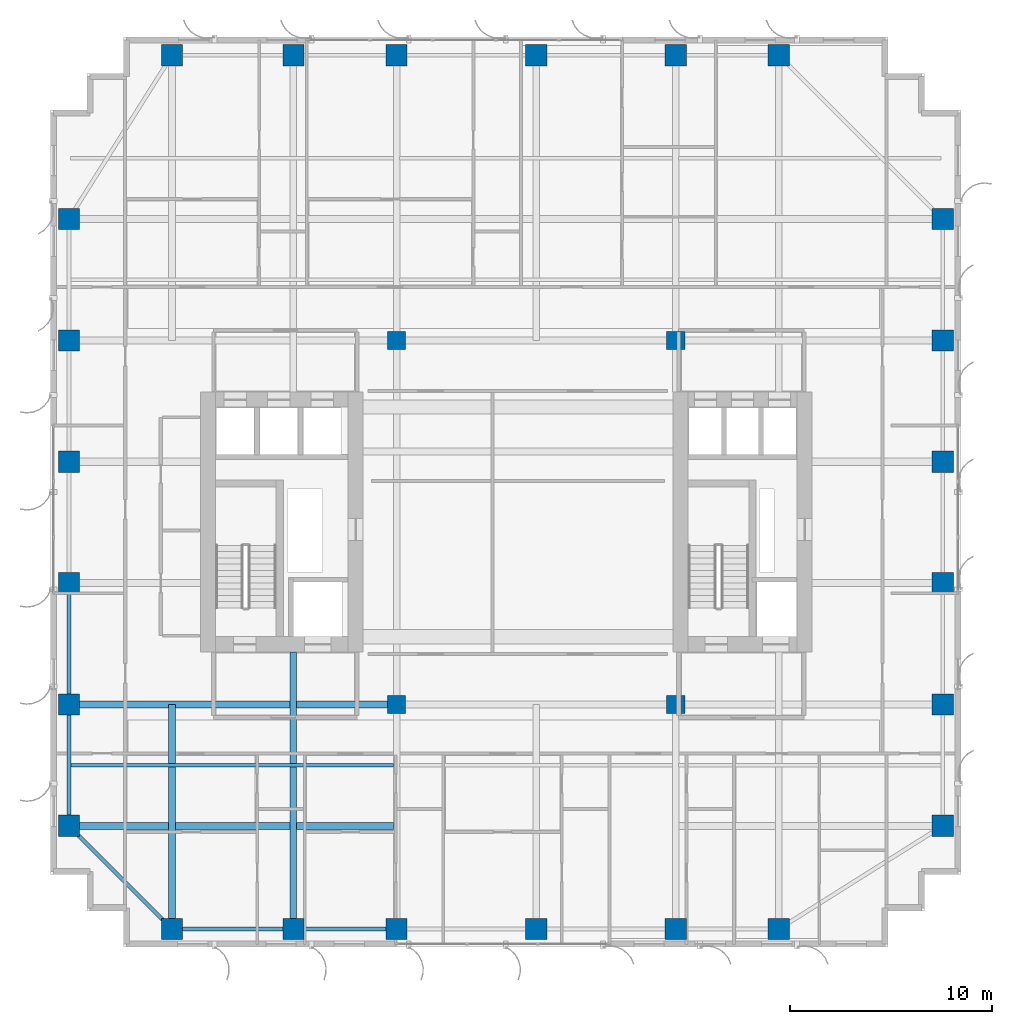
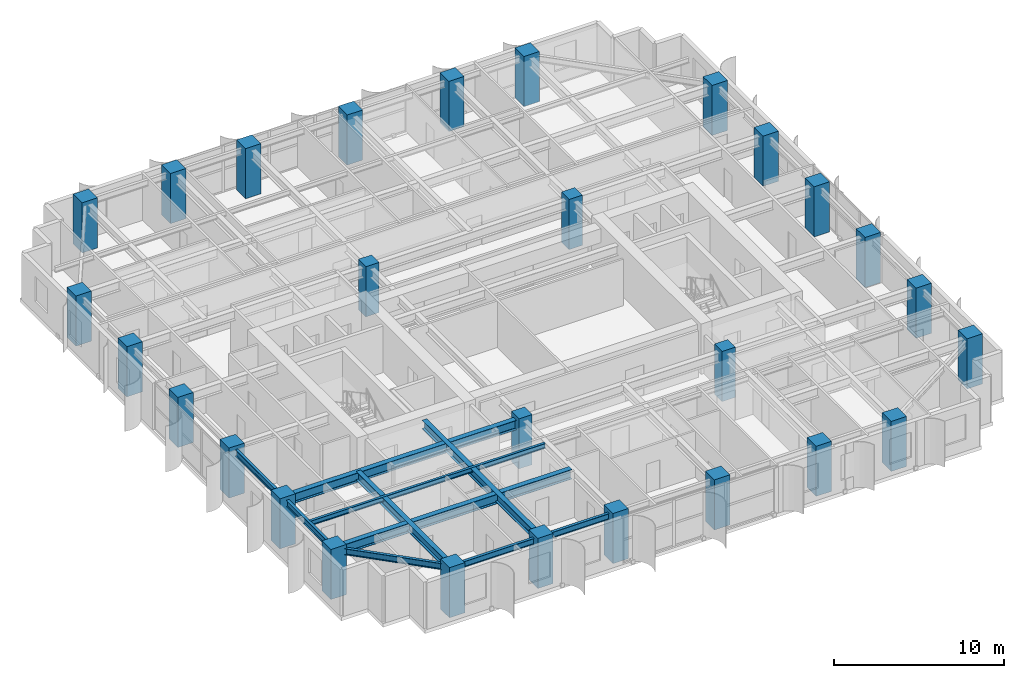
# One storey, part 1 of 22: 28 columns, 10 beams.
"""IFC4 building model written with IfcOpenShell, lengths in metres."""

from ifc_helpers import new_model, si_unit, direction, frame, origin, origin_2d, place, context, subcontext, project, spatial, rectangle, i_section, extrude, source, transform, mapped, material, material_profile, profile_set, type_object, element, save


model = new_model("IFC4")

# Units and contexts
model_context = context("Model", 3, precision=1e-05, world=origin(), true_north=direction((0.0, 1.0)))
body_context = subcontext(model_context, "Body", "Model", "MODEL_VIEW")
ifc_project = project(units=[si_unit("LENGTHUNIT", "METRE"), si_unit("AREAUNIT", "SQUARE_METRE"), si_unit("VOLUMEUNIT", "CUBIC_METRE"), si_unit("PLANEANGLEUNIT", "RADIAN"), si_unit("MASSUNIT", "GRAM", prefix="KILO")], contexts=[model_context])

# Site, building, storey
site_placement = place(None, origin())
site = spatial("IfcSite", under=ifc_project, at=site_placement, CompositionType="ELEMENT")
building_placement = place(site_placement, origin())
building = spatial("IfcBuilding", under=site, at=building_placement, Name="Khoralis Quay Care Tower", CompositionType="ELEMENT")
storey_placement = place(building_placement, frame((0.0, 0.0, 94.5)))
storey = spatial("IfcBuildingStorey", under=building, at=storey_placement, Name="L24", CompositionType="ELEMENT", Elevation=94.5)

# Columns
ifc_material_1 = material(Name="Concrete C65/80", Category="concrete")
ifc_material_profile_1 = material_profile(ifc_material_1, rectangle(XDim=1.050048828125, YDim=1.050048828125, at=origin_2d()), Name="Concrete C65/80")
ifc_profile_set_1 = profile_set([ifc_material_profile_1], Name="Concrete C65/80")
column_type_1 = type_object("IfcColumnType", Name="COL-C1050", PredefinedType="COLUMN", material=ifc_profile_set_1)
shared_shape_1 = source(origin(), body_context, "Body", "SweptSolid", [
    extrude(rectangle(XDim=1.050048828125, YDim=1.050048828125, at=origin_2d()), origin(), (0.0, 0.0, 1.0), 3.60009765625),
])
for number, where, z_axis, x_axis, name in (
    (1, (6.0, 0.89990234375, 0.0), (0.0, 0.0, 1.0), (1.0, 0.0, 0.0), "COL-TWR-L24-01"),
    (2, (6.0, 44.10009765625, 0.0), (0.0, 0.0, 1.0), (1.0, 0.0, 0.0), "COL-TWR-L24-02"),
    (3, (12.0, 0.89990234375, 0.0), (0.0, 0.0, 1.0), (1.0, 0.0, 0.0), "COL-TWR-L24-03"),
    (4, (12.0, 44.10009765625, 0.0), (0.0, 0.0, 1.0), (1.0, 0.0, 0.0), "COL-TWR-L24-04"),
    (5, (17.10009765625, 0.89990234375, 0.0), (0.0, 0.0, 1.0), (1.0, 0.0, 0.0), "COL-TWR-L24-05"),
    (6, (17.10009765625, 44.10009765625, 0.0), (0.0, 0.0, 1.0), (1.0, 0.0, 0.0), "COL-TWR-L24-06"),
    (7, (24.0, 0.89990234375, 0.0), (0.0, 0.0, 1.0), (1.0, 0.0, 0.0), "COL-TWR-L24-07"),
    (8, (24.0, 44.10009765625, 0.0), (0.0, 0.0, 1.0), (1.0, 0.0, 0.0), "COL-TWR-L24-08"),
    (9, (30.89990234375, 0.89990234375, 0.0), (0.0, 0.0, 1.0), (1.0, 0.0, 0.0), "COL-TWR-L24-09"),
    (10, (30.89990234375, 44.10009765625, 0.0), (0.0, 0.0, 1.0), (1.0, 0.0, 0.0), "COL-TWR-L24-10"),
    (11, (36.0, 0.89990234375, 0.0), (0.0, 0.0, 1.0), (1.0, 0.0, 0.0), "COL-TWR-L24-11"),
    (12, (36.0, 44.10009765625, 0.0), (0.0, 0.0, 1.0), (1.0, 0.0, 0.0), "COL-TWR-L24-12"),
    (13, (0.89990234375, 6.0, 0.0), (0.0, 0.0, 1.0), (1.0, 0.0, 0.0), "COL-TWR-L24-13"),
    (14, (44.10009765625, 6.0, 0.0), (0.0, 0.0, 1.0), (1.0, 0.0, 0.0), "COL-TWR-L24-14"),
    (15, (0.89990234375, 12.0, 0.0), (0.0, 0.0, 1.0), (1.0, 0.0, 0.0), "COL-TWR-L24-15"),
    (16, (44.10009765625, 12.0, 0.0), (0.0, 0.0, 1.0), (1.0, 0.0, 0.0), "COL-TWR-L24-16"),
    (17, (0.89990234375, 18.0, 0.0), (0.0, 0.0, 1.0), (1.0, 0.0, 0.0), "COL-TWR-L24-17"),
    (18, (44.10009765625, 18.0, 0.0), (0.0, 0.0, 1.0), (1.0, 0.0, 0.0), "COL-TWR-L24-18"),
    (19, (0.89990234375, 24.0, 0.0), (0.0, 0.0, 1.0), (1.0, 0.0, 0.0), "COL-TWR-L24-19"),
    (20, (44.10009765625, 24.0, 0.0), (0.0, 0.0, 1.0), (1.0, 0.0, 0.0), "COL-TWR-L24-20"),
    (21, (0.89990234375, 30.0, 0.0), (0.0, 0.0, 1.0), (1.0, 0.0, 0.0), "COL-TWR-L24-21"),
    (22, (44.10009765625, 30.0, 0.0), (0.0, 0.0, 1.0), (1.0, 0.0, 0.0), "COL-TWR-L24-22"),
    (23, (0.89990234375, 36.0, 0.0), (0.0, 0.0, 1.0), (1.0, 0.0, 0.0), "COL-TWR-L24-23"),
    (24, (44.10009765625, 36.0, 0.0), (0.0, 0.0, 1.0), (1.0, 0.0, 0.0), "COL-TWR-L24-24"),
):
    element("IfcColumn", number, at=place(storey_placement, frame(where, z_axis=z_axis, x_axis=x_axis)), inside=storey, type_object=column_type_1, Name=name, PredefinedType="COLUMN", context=body_context, shape_type="MappedRepresentation", body=[
        mapped(shared_shape_1, transform((0.0, 0.0, 0.0), scale=1.0)),
    ])
ifc_material_profile_2 = material_profile(ifc_material_1, rectangle(XDim=0.89990234375, YDim=0.89990234375, at=origin_2d()), Name="Concrete C65/80")
ifc_profile_set_2 = profile_set([ifc_material_profile_2], Name="Concrete C65/80")
column_type_2 = type_object("IfcColumnType", Name="COL-C900", PredefinedType="COLUMN", material=ifc_profile_set_2)
shared_shape_2 = source(origin(), body_context, "Body", "SweptSolid", [
    extrude(rectangle(XDim=0.89990234375, YDim=0.89990234375, at=origin_2d()), origin(), (0.0, 0.0, 1.0), 3.60009765625),
])
for number, where, z_axis, x_axis, name in (
    (25, (17.10009765625, 12.0, 0.0), (0.0, 0.0, 1.0), (1.0, 0.0, 0.0), "COL-TWR-L24-25"),
    (26, (17.10009765625, 30.0, 0.0), (0.0, 0.0, 1.0), (1.0, 0.0, 0.0), "COL-TWR-L24-26"),
    (27, (30.89990234375, 12.0, 0.0), (0.0, 0.0, 1.0), (1.0, 0.0, 0.0), "COL-TWR-L24-27"),
    (28, (30.89990234375, 30.0, 0.0), (0.0, 0.0, 1.0), (1.0, 0.0, 0.0), "COL-TWR-L24-28"),
):
    element("IfcColumn", number, at=place(storey_placement, frame(where, z_axis=z_axis, x_axis=x_axis)), inside=storey, type_object=column_type_2, Name=name, PredefinedType="COLUMN", context=body_context, shape_type="MappedRepresentation", body=[
        mapped(shared_shape_2, transform((0.0, 0.0, 0.0), scale=1.0)),
    ])

# Beams
ifc_material_2 = material(Name="Steel S355", Category="steel")
ifc_material_profile_3 = material_profile(ifc_material_2, i_section(OverallWidth=0.18994140625, OverallDepth=0.449951171875, WebThickness=0.009521484375, FlangeThickness=0.0146484375, FilletRadius=0.02099609375, at=origin_2d()), Name="Steel S355")
ifc_profile_set_3 = profile_set([ifc_material_profile_3], Name="Steel S355")
beam_type_1 = type_object("IfcBeamType", Name="BM-IPE450", PredefinedType="SPANDREL", material=ifc_profile_set_3)
shared_shape_3 = source(origin(), body_context, "Body", "SweptSolid", [
    extrude(i_section(OverallWidth=0.18994140625, OverallDepth=0.449951171875, WebThickness=0.009521484375, FlangeThickness=0.0146484375, FilletRadius=0.02099609375, at=origin_2d()), origin(), (0.0, 0.0, 1.0), 6.0),
])
for number, where, z_axis, x_axis, name in (
    (29, (6.0, 0.89990234375, 3.114990234375), (1.0, 0.0, 0.0), (0.0, 1.0, 0.0), "BM-TSP-L24-01"),
    (30, (0.89990234375, 6.0, 3.114990234375), (0.0, 1.0, 0.0), (-1.0, 0.0, 0.0), "BM-TSP-L24-11"),
    (31, (0.89990234375, 12.0, 3.114990234375), (0.0, 1.0, 0.0), (-1.0, 0.0, 0.0), "BM-TSP-L24-12"),
):
    element("IfcBeam", number, at=place(storey_placement, frame(where, z_axis=z_axis, x_axis=x_axis)), inside=storey, type_object=beam_type_1, Name=name, PredefinedType="SPANDREL", context=body_context, shape_type="MappedRepresentation", body=[
        mapped(shared_shape_3, transform((0.0, 0.0, 0.0), scale=1.0)),
    ])
shared_shape_4 = source(origin(), body_context, "Body", "SweptSolid", [
    extrude(i_section(OverallWidth=0.18994140625, OverallDepth=0.449951171875, WebThickness=0.009521484375, FlangeThickness=0.0146484375, FilletRadius=0.02099609375, at=origin_2d()), origin(), (0.0, 0.0, 1.0), 5.10009765625),
])
beam_1_placement = place(storey_placement, frame((12.0, 0.89990234375, 3.114990234375), z_axis=(1.0, 0.0, 0.0), x_axis=(0.0, 1.0, 0.0)))
element("IfcBeam", 32, at=beam_1_placement, inside=storey, type_object=beam_type_1, Name="BM-TSP-L24-02", PredefinedType="SPANDREL", context=body_context, shape_type="MappedRepresentation", body=[
    mapped(shared_shape_4, transform((0.0, 0.0, 0.0), scale=1.0)),
])
shared_shape_5 = source(origin(), body_context, "Body", "SweptSolid", [
    extrude(i_section(OverallWidth=0.18994140625, OverallDepth=0.449951171875, WebThickness=0.009521484375, FlangeThickness=0.0146484375, FilletRadius=0.02099609375, at=origin_2d()), origin(), (0.0, 0.0, 1.0), 7.212646484375),
])
beam_2_placement = place(storey_placement, frame((6.0, 0.89990234375, 3.114990234375), z_axis=(-0.707106781187, 0.707106781187, 0.0), x_axis=(-0.707106781187, -0.707106781187, 0.0)))
element("IfcBeam", 33, at=beam_2_placement, inside=storey, type_object=beam_type_1, Name="BM-TCR-L24-21", PredefinedType="SPANDREL", context=body_context, shape_type="MappedRepresentation", body=[
    mapped(shared_shape_5, transform((0.0, 0.0, 0.0), scale=1.0)),
])
ifc_material_profile_4 = material_profile(ifc_material_2, i_section(OverallWidth=0.35498046875, OverallDepth=0.695068359375, WebThickness=0.015380859375, FlangeThickness=0.02490234375, FilletRadius=0.02001953125, at=origin_2d()), Name="Steel S355")
ifc_profile_set_4 = profile_set([ifc_material_profile_4], Name="Steel S355")
beam_type_2 = type_object("IfcBeamType", Name="BM-W690X217", PredefinedType="BEAM", material=ifc_profile_set_4)
shared_shape_6 = source(origin(), body_context, "Body", "SweptSolid", [
    extrude(i_section(OverallWidth=0.35498046875, OverallDepth=0.695068359375, WebThickness=0.015380859375, FlangeThickness=0.02490234375, FilletRadius=0.02001953125, at=origin_2d()), origin(), (0.0, 0.0, 1.0), 16.049560546875),
])
beam_3_placement = place(storey_placement, frame((0.89990234375, 6.0, 2.992431640625), z_axis=(1.0, 0.0, 0.0), x_axis=(0.0, 1.0, 0.0)))
element("IfcBeam", 34, at=beam_3_placement, inside=storey, type_object=beam_type_2, Name="BM-TGXW-L24-60", PredefinedType="BEAM", context=body_context, shape_type="MappedRepresentation", body=[
    mapped(shared_shape_6, transform((0.0, 0.0, 0.0), scale=1.0)),
])
shared_shape_7 = source(origin(), body_context, "Body", "SweptSolid", [
    extrude(i_section(OverallWidth=0.35498046875, OverallDepth=0.695068359375, WebThickness=0.015380859375, FlangeThickness=0.02490234375, FilletRadius=0.02001953125, at=origin_2d()), origin(), (0.0, 0.0, 1.0), 16.2001953125),
])
beam_4_placement = place(storey_placement, frame((0.89990234375, 12.0, 2.992431640625), z_axis=(1.0, 0.0, 0.0), x_axis=(0.0, 1.0, 0.0)))
element("IfcBeam", 35, at=beam_4_placement, inside=storey, type_object=beam_type_2, Name="BM-TGXW-L24-120", PredefinedType="BEAM", context=body_context, shape_type="MappedRepresentation", body=[
    mapped(shared_shape_7, transform((0.0, 0.0, 0.0), scale=1.0)),
])
ifc_material_profile_5 = material_profile(ifc_material_2, i_section(OverallWidth=0.324951171875, OverallDepth=0.615966796875, WebThickness=0.013916015625, FlangeThickness=0.021484375, FilletRadius=0.01806640625, at=origin_2d()), Name="Steel S355")
ifc_profile_set_5 = profile_set([ifc_material_profile_5], Name="Steel S355")
beam_type_3 = type_object("IfcBeamType", Name="BM-W610X174", PredefinedType="BEAM", material=ifc_profile_set_5)
shared_shape_8 = source(origin(), body_context, "Body", "SweptSolid", [
    extrude(i_section(OverallWidth=0.324951171875, OverallDepth=0.615966796875, WebThickness=0.013916015625, FlangeThickness=0.021484375, FilletRadius=0.01806640625, at=origin_2d()), origin(), (0.0, 0.0, 1.0), 11.10009765625),
])
beam_5_placement = place(storey_placement, frame((6.0, 0.89990234375, 3.031982421875), z_axis=(0.0, 1.0, 0.0), x_axis=(-1.0, 0.0, 0.0)))
element("IfcBeam", 36, at=beam_5_placement, inside=storey, type_object=beam_type_3, Name="BM-TGYS-L24-60", PredefinedType="BEAM", context=body_context, shape_type="MappedRepresentation", body=[
    mapped(shared_shape_8, transform((0.0, 0.0, 0.0), scale=1.0)),
])
ifc_material_profile_6 = material_profile(ifc_material_2, i_section(OverallWidth=0.1708984375, OverallDepth=0.35498046875, WebThickness=0.007080078125, FlangeThickness=0.01171875, FilletRadius=0.012939453125, at=origin_2d()), Name="Steel S355")
ifc_profile_set_6 = profile_set([ifc_material_profile_6], Name="Steel S355")
beam_type_4 = type_object("IfcBeamType", Name="BM-W360X51", PredefinedType="JOIST", material=ifc_profile_set_6)
shared_shape_9 = source(origin(), body_context, "Body", "SweptSolid", [
    extrude(i_section(OverallWidth=0.1708984375, OverallDepth=0.35498046875, WebThickness=0.007080078125, FlangeThickness=0.01171875, FilletRadius=0.012939453125, at=origin_2d()), origin(), (0.0, 0.0, 1.0), 15.968505859375),
])
beam_6_placement = place(storey_placement, frame((0.98095703125, 9.0, 3.16259765625), z_axis=(1.0, 0.0, 0.0), x_axis=(0.0, 1.0, 0.0)))
element("IfcBeam", 37, at=beam_6_placement, inside=storey, type_object=beam_type_4, Name="BM-TJS-L24-25", PredefinedType="JOIST", context=body_context, shape_type="MappedRepresentation", body=[
    mapped(shared_shape_9, transform((0.0, 0.0, 0.0), scale=1.0)),
])
shared_shape_10 = source(origin(), body_context, "Body", "SweptSolid", [
    extrude(i_section(OverallWidth=0.324951171875, OverallDepth=0.615966796875, WebThickness=0.013916015625, FlangeThickness=0.021484375, FilletRadius=0.01806640625, at=origin_2d()), origin(), (0.0, 0.0, 1.0), 13.7021484375),
])
beam_7_placement = place(storey_placement, frame((12.0, 0.89990234375, 3.031982421875), z_axis=(0.0, 1.0, 0.0), x_axis=(-1.0, 0.0, 0.0)))
element("IfcBeam", 38, at=beam_7_placement, inside=storey, type_object=beam_type_3, Name="BM-TGYS-L24-120", PredefinedType="BEAM", context=body_context, shape_type="MappedRepresentation", body=[
    mapped(shared_shape_10, transform((0.0, 0.0, 0.0), scale=1.0)),
])

save(model, "model.ifc")
